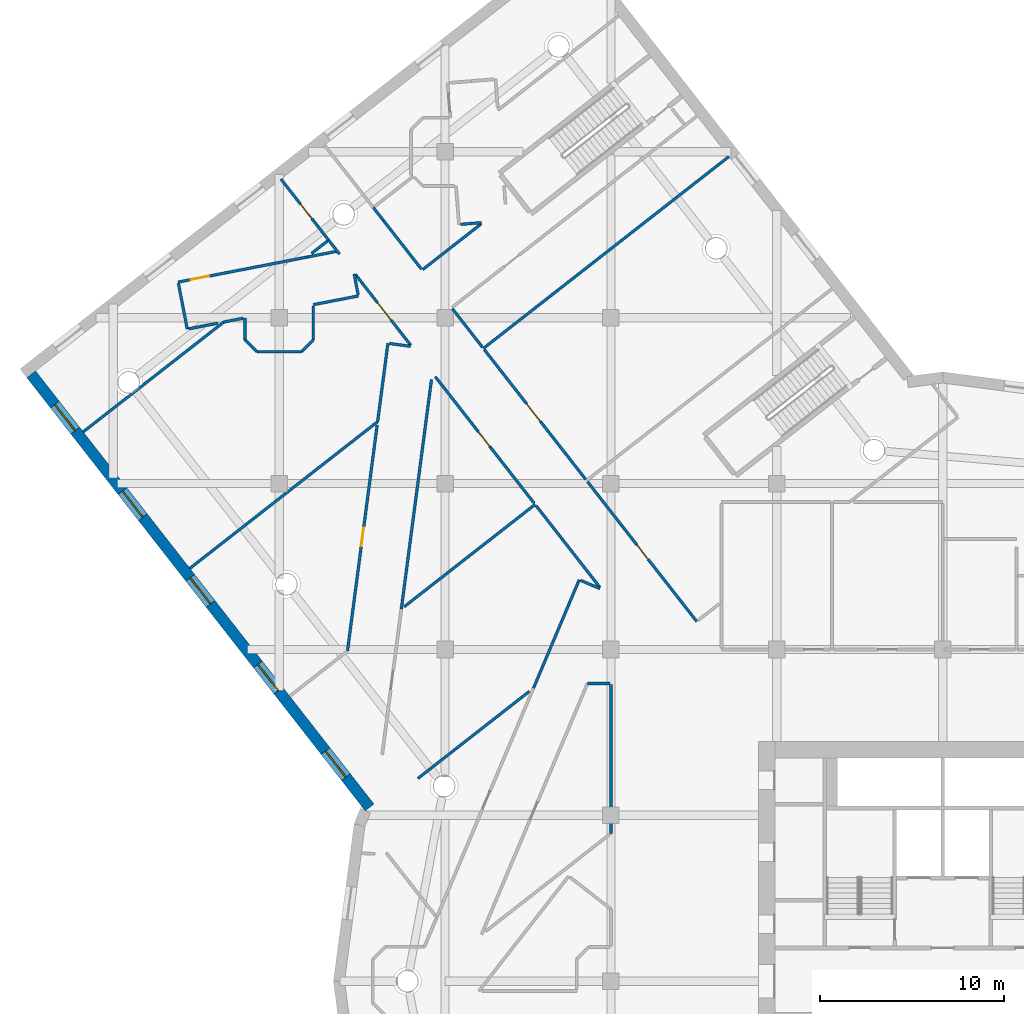
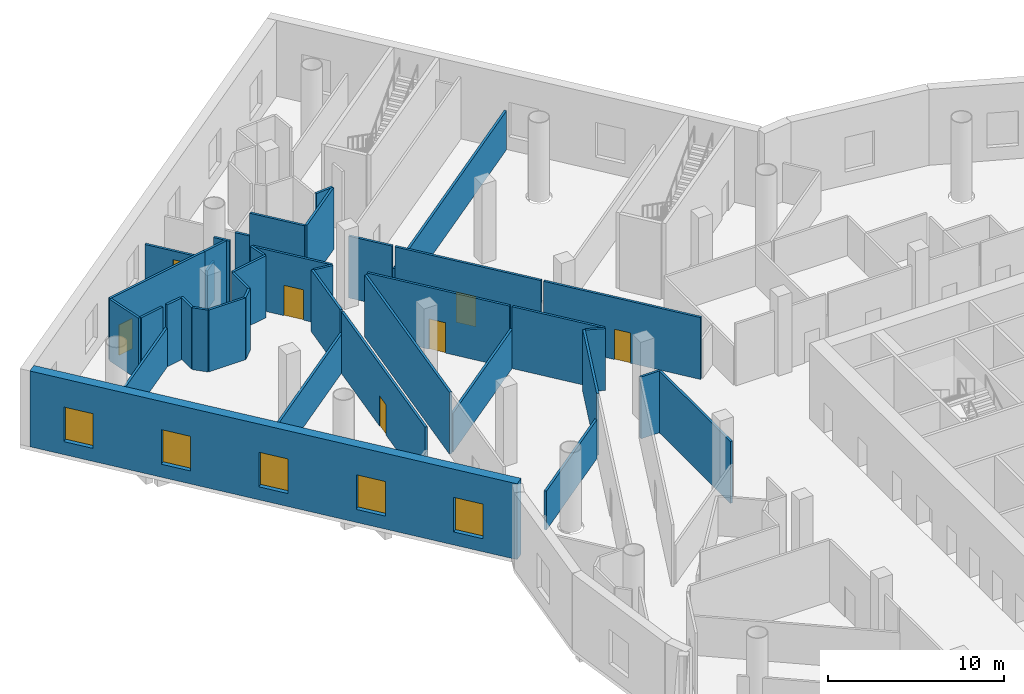
# One storey, part 9 of 23: 39 walls, 7 doors, 5 windows, 12 openings.
"""IFC4 building model written with IfcOpenShell, lengths in metres."""

from ifc_helpers import new_model, si_unit, direction, frame, frame_2d, origin, place, context, subcontext, project, spatial, rectangle, extrude, material, layer, layer_set, type_object, element, fill, save


model = new_model("IFC4")

# Units and contexts
model_context = context("Model", 3, precision=1e-05, world=origin(), true_north=direction((0.0, 1.0)))
body_context = subcontext(model_context, "Body", "Model", "MODEL_VIEW")
ifc_project = project(units=[si_unit("LENGTHUNIT", "METRE"), si_unit("AREAUNIT", "SQUARE_METRE"), si_unit("VOLUMEUNIT", "CUBIC_METRE"), si_unit("PLANEANGLEUNIT", "RADIAN"), si_unit("MASSUNIT", "GRAM", prefix="KILO")], contexts=[model_context])

# Site, building, storey
site_placement = place(None, origin())
site = spatial("IfcSite", under=ifc_project, at=site_placement, CompositionType="ELEMENT")
building_placement = place(site_placement, origin())
building = spatial("IfcBuilding", under=site, at=building_placement, Name="Tarsis Ring Headquarters", CompositionType="ELEMENT")
storey_placement = place(building_placement, frame((0.0, 0.0, 14.0)))
storey = spatial("IfcBuildingStorey", under=building, at=storey_placement, Name="L02", CompositionType="ELEMENT", Elevation=14.0)

# Walls
ifc_material_1 = material(Name="Plasterboard partition")
ifc_layer_1 = layer(ifc_material_1, 0.14990234375)
ifc_layer_set_1 = layer_set([ifc_layer_1], Name="PO-PW150")
wall_type_1 = type_object("IfcWallType", Name="PO-PW150", PredefinedType="PARTITIONING", material=ifc_layer_set_1)
wall_1_placement = place(storey_placement, frame((-11.604736328125, 44.73974609375, 0.0), z_axis=(0.0, 0.0, 1.0), x_axis=(-0.788014736946, -0.61565637685, 0.0)))
element("IfcWall", 1, at=wall_1_placement, inside=storey, type_object=wall_type_1, Name="L02 partition wall 5", PredefinedType="PARTITIONING", context=body_context, shape_type="SweptSolid", body=[
    extrude(rectangle(XDim=16.89990234375, YDim=0.14990234375, at=frame_2d((8.449951171875, 0.0))), origin(), (0.0, 0.0, 1.0), 2.699951171875),
])
wall_2_placement = place(storey_placement, frame((-30.660400390625, 30.359375, 0.0), z_axis=(0.0, 0.0, 1.0), x_axis=(-0.788010347097, -0.615661995634, 0.0)))
element("IfcWall", 2, at=wall_2_placement, inside=storey, type_object=wall_type_1, Name="L02 partition wall 13", PredefinedType="PARTITIONING", context=body_context, shape_type="SweptSolid", body=[
    extrude(rectangle(XDim=12.930419921875, YDim=0.14990234375, at=frame_2d((6.46533203125, 0.0))), origin(), (0.0, 0.0, 1.0), 2.699951171875),
])
wall_3_placement = place(storey_placement, frame((-39.0078125, 35.7666015625, 0.0), z_axis=(0.0, 0.0, 1.0), x_axis=(-0.788003346426, -0.615670955967, 0.0)))
element("IfcWall", 3, at=wall_3_placement, inside=storey, type_object=wall_type_1, Name="L02 partition wall 32", PredefinedType="PARTITIONING", context=body_context, shape_type="SweptSolid", body=[
    extrude(rectangle(XDim=9.681640625, YDim=0.14990234375, at=frame_2d((4.8408203125, 0.0))), origin(), (0.0, 0.0, 1.0), 2.699951171875),
])
wall_4_placement = place(storey_placement, frame((-22.114501953125, 25.868896484375, 0.0), z_axis=(0.0, 0.0, 1.0), x_axis=(-0.788011245188, -0.615660846129, 0.0)))
element("IfcWall", 4, at=wall_4_placement, inside=storey, type_object=wall_type_1, Name="L02 partition wall 33", PredefinedType="PARTITIONING", context=body_context, shape_type="SweptSolid", body=[
    extrude(rectangle(XDim=9.02197265625, YDim=0.14990234375, at=frame_2d((4.510986328125, 0.0))), origin(), (0.0, 0.0, 1.0), 2.699951171875),
])
wall_5_placement = place(storey_placement, frame((-28.47119140625, 11.004150390625, 0.0), z_axis=(0.0, 0.0, 1.0), x_axis=(0.788010852501, 0.615661348747, 0.0)))
element("IfcWall", 5, at=wall_5_placement, inside=storey, type_object=wall_type_1, Name="L02 partition wall 45", PredefinedType="PARTITIONING", context=body_context, shape_type="SweptSolid", body=[
    extrude(rectangle(XDim=7.6650390625, YDim=0.14990234375, at=frame_2d((3.83251953125, 0.0))), origin(), (0.0, 0.0, 1.0), 2.699951171875),
])

# Wall, opening, door
wall_6_placement = place(storey_placement, frame((-35.904541015625, 43.52099609375, 0.0), z_axis=(0.0, 0.0, 1.0), x_axis=(0.615629377778, -0.788035829906, 0.0)))
wall_6 = element("IfcWall", 6, at=wall_6_placement, inside=storey, type_object=wall_type_1, Name="L02 partition wall 85", PredefinedType="PARTITIONING", context=body_context, shape_type="SweptSolid", body=[
    extrude(rectangle(XDim=4.2001953125, YDim=0.14990234375, at=frame_2d((2.10009765625, 0.0))), origin(), (0.0, 0.0, 1.0), 2.699951171875),
])
opening_1_placement = place(wall_6_placement, frame((1.720947265625, 0.0, 0.0)))
opening_1 = element("IfcOpeningElement", 7, at=opening_1_placement, cuts=wall_6, Name="Opening PO-D1A", PredefinedType="OPENING", context=body_context, shape_type="SweptSolid", body=[
    extrude(rectangle(XDim=1.0, YDim=2.10009765625, at=frame_2d((0.5, 1.050048828125))), frame((0.0, 0.0849609375, 0.0), z_axis=(0.0, -1.0, 0.0), x_axis=(1.0, 0.0, 0.0)), (0.0, 0.0, 1.0), 0.169921875),
])
ifc_material_2 = material(Name="Timber door", Category="wood")
door_type_1 = type_object("IfcDoorType", Name="PO-D1000-UNRATED", OperationType="NOTDEFINED", PredefinedType="DOOR", material=ifc_material_2)
door_1_placement = place(opening_1_placement, origin())
door_1 = element("IfcDoor", 8, at=door_1_placement, inside=storey, type_object=door_type_1, Name="Training room door", OperationType="SINGLE_SWING_LEFT", OverallHeight=2.10009765625, OverallWidth=1.0, PredefinedType="DOOR", context=body_context, shape_type="SweptSolid", body=[
    extrude(rectangle(XDim=1.0, YDim=2.10009765625, at=frame_2d((0.5, 1.050048828125))), frame((0.0, 0.02490234375, 0.0), z_axis=(0.0, -1.0, 0.0), x_axis=(1.0, 0.0, 0.0)), (0.0, 0.0, 1.0), 0.050048828125),
])
fill(opening_1, door_1)

# Walls
wall_7_placement = place(storey_placement, frame((-33.382568359375, 40.161376953125, 0.0), z_axis=(0.0, 0.0, 1.0), x_axis=(-0.788105280443, -0.615540467344, 0.0)))
element("IfcWall", 9, at=wall_7_placement, inside=storey, type_object=wall_type_1, Name="L02 partition wall 144", PredefinedType="PARTITIONING", context=body_context, shape_type="SweptSolid", body=[
    extrude(rectangle(XDim=1.097900390625, YDim=0.14990234375, at=frame_2d((0.548828125, 0.0))), origin(), (0.0, 0.0, 1.0), 2.699951171875),
])
wall_8_placement = place(storey_placement, frame((-30.89404296875, 41.978759765625, 0.0), z_axis=(0.0, 0.0, 1.0), x_axis=(0.615879384615, -0.78784045568, 0.0)))
element("IfcWall", 10, at=wall_8_placement, inside=storey, type_object=wall_type_1, Name="L02 partition wall 170", PredefinedType="PARTITIONING", context=body_context, shape_type="SweptSolid", body=[
    extrude(rectangle(XDim=0.90576171875, YDim=0.14990234375, at=frame_2d((0.452880859375, 0.0))), origin(), (0.0, 0.0, 1.0), 2.699951171875),
])
ifc_layer_2 = layer(ifc_material_1, 0.14990234375)
ifc_layer_set_2 = layer_set([ifc_layer_2], Name="PO-PW150R-4283")
wall_type_2 = type_object("IfcWallType", Name="PO-PW150R-4283", PredefinedType="PARTITIONING", material=ifc_layer_set_2)
wall_9_placement = place(storey_placement, frame((-27.738037109375, 32.642578125, 0.0), z_axis=(0.0, 0.0, 1.0), x_axis=(-0.130313635942, -0.991472821759, 0.0)))
element("IfcWall", 11, at=wall_9_placement, inside=storey, type_object=wall_type_2, Name="L02 partition wall 15", PredefinedType="PARTITIONING", context=body_context, shape_type="SweptSolid", body=[
    extrude(rectangle(XDim=12.55224609375, YDim=0.14990234375, at=frame_2d((6.276123046875, 0.0))), origin(), (0.0, 0.0, 1.0), 4.282958984375),
])

# Wall, opening, door
wall_10_placement = place(storey_placement, frame((-32.296142578125, 17.9140625, 0.0), z_axis=(0.0, 0.0, 1.0), x_axis=(0.130300744095, 0.991474516106, 0.0)))
wall_10 = element("IfcWall", 12, at=wall_10_placement, inside=storey, type_object=wall_type_2, Name="L02 partition wall 16", PredefinedType="PARTITIONING", context=body_context, shape_type="SweptSolid", body=[
    extrude(rectangle(XDim=12.362548828125, YDim=0.14990234375, at=frame_2d((6.18115234375, 0.0))), origin(), (0.0, 0.0, 1.0), 4.282958984375),
])
opening_2_placement = place(wall_10_placement, frame((5.75, 0.0, 0.0)))
opening_2 = element("IfcOpeningElement", 13, at=opening_2_placement, cuts=wall_10, Name="Opening PO-D1", PredefinedType="OPENING", context=body_context, shape_type="SweptSolid", body=[
    extrude(rectangle(XDim=1.0, YDim=2.10009765625, at=frame_2d((0.5, 1.050048828125))), frame((0.0, 0.0849609375, 0.0), z_axis=(0.0, -1.0, 0.0), x_axis=(1.0, 0.0, 0.0)), (0.0, 0.0, 1.0), 0.169921875),
])
door_type_2 = type_object("IfcDoorType", Name="PO-D1000", OperationType="NOTDEFINED", PredefinedType="DOOR", material=ifc_material_2)
door_2_placement = place(opening_2_placement, origin())
door_2 = element("IfcDoor", 14, at=door_2_placement, inside=storey, type_object=door_type_2, Name="Committee room door", OperationType="SINGLE_SWING_LEFT", OverallHeight=2.10009765625, OverallWidth=1.0, PredefinedType="DOOR", context=body_context, shape_type="SweptSolid", body=[
    extrude(rectangle(XDim=1.0, YDim=2.10009765625, at=frame_2d((0.5, 1.050048828125))), frame((0.0, 0.02490234375, 0.0), z_axis=(0.0, -1.0, 0.0), x_axis=(1.0, 0.0, 0.0)), (0.0, 0.0, 1.0), 0.050048828125),
])
fill(opening_2, door_2)

wall_11_placement = place(storey_placement, frame((-19.270263671875, 27.101318359375, 0.0), z_axis=(0.0, 0.0, 1.0), x_axis=(0.615650444222, -0.788019371925, 0.0)))
wall_11 = element("IfcWall", 15, at=wall_11_placement, inside=storey, type_object=wall_type_2, Name="L02 partition wall 31", PredefinedType="PARTITIONING", context=body_context, shape_type="SweptSolid", body=[
    extrude(rectangle(XDim=9.6201171875, YDim=0.14990234375, at=frame_2d((4.81005859375, 0.0))), origin(), (0.0, 0.0, 1.0), 4.282958984375),
])
opening_3_placement = place(wall_11_placement, frame((4.340087890625, 0.0, 0.0)))
opening_3 = element("IfcOpeningElement", 16, at=opening_3_placement, cuts=wall_11, Name="Opening PO-D1", PredefinedType="OPENING", context=body_context, shape_type="SweptSolid", body=[
    extrude(rectangle(XDim=1.0, YDim=2.10009765625, at=frame_2d((0.5, 1.050048828125))), frame((0.0, 0.0849609375, 0.0), z_axis=(0.0, -1.0, 0.0), x_axis=(1.0, 0.0, 0.0)), (0.0, 0.0, 1.0), 0.169921875),
])
door_3_placement = place(opening_3_placement, origin())
door_3 = element("IfcDoor", 17, at=door_3_placement, inside=storey, type_object=door_type_2, Name="Committee room door", OperationType="SINGLE_SWING_RIGHT", OverallHeight=2.10009765625, OverallWidth=1.0, PredefinedType="DOOR", context=body_context, shape_type="SweptSolid", body=[
    extrude(rectangle(XDim=1.0, YDim=2.10009765625, at=frame_2d((0.5, 1.050048828125))), frame((0.0, 0.02490234375, 0.0), z_axis=(0.0, -1.0, 0.0), x_axis=(1.0, 0.0, 0.0)), (0.0, 0.0, 1.0), 0.050048828125),
])
fill(opening_3, door_3)

wall_12_placement = place(storey_placement, frame((-24.872802734375, 34.272216796875, 0.0), z_axis=(0.0, 0.0, 1.0), x_axis=(0.615665239204, -0.788007812928, 0.0)))
wall_12 = element("IfcWall", 18, at=wall_12_placement, inside=storey, type_object=wall_type_2, Name="L02 partition wall 35", PredefinedType="PARTITIONING", context=body_context, shape_type="SweptSolid", body=[
    extrude(rectangle(XDim=8.940185546875, YDim=0.14990234375, at=frame_2d((4.47021484375, 0.0))), origin(), (0.0, 0.0, 1.0), 4.282958984375),
])
opening_4_placement = place(wall_12_placement, frame((3.739990234375, 0.0, 0.0)))
opening_4 = element("IfcOpeningElement", 19, at=opening_4_placement, cuts=wall_12, Name="Opening PO-D2", PredefinedType="OPENING", context=body_context, shape_type="SweptSolid", body=[
    extrude(rectangle(XDim=1.199951171875, YDim=2.10009765625, at=frame_2d((0.60009765625, 1.050048828125))), frame((0.0, 0.0849609375, 0.0), z_axis=(0.0, -1.0, 0.0), x_axis=(1.0, 0.0, 0.0)), (0.0, 0.0, 1.0), 0.169921875),
])
door_type_3 = type_object("IfcDoorType", Name="PO-D1200", OperationType="NOTDEFINED", PredefinedType="DOOR", material=ifc_material_2)
door_4_placement = place(opening_4_placement, origin())
door_4 = element("IfcDoor", 20, at=door_4_placement, inside=storey, type_object=door_type_3, Name="Conference hall door", OperationType="SINGLE_SWING_LEFT", OverallHeight=2.10009765625, OverallWidth=1.199951171875, PredefinedType="DOOR", context=body_context, shape_type="SweptSolid", body=[
    extrude(rectangle(XDim=1.199951171875, YDim=2.10009765625, at=frame_2d((0.60009765625, 1.050048828125))), frame((0.0, 0.02490234375, 0.0), z_axis=(0.0, -1.0, 0.0), x_axis=(1.0, 0.0, 0.0)), (0.0, 0.0, 1.0), 0.050048828125),
])
fill(opening_4, door_4)

wall_13_placement = place(storey_placement, frame((-22.163818359375, 25.931884765625, 0.0), z_axis=(0.0, 0.0, 1.0), x_axis=(-0.615642955339, 0.788025222656, 0.0)))
wall_13 = element("IfcWall", 21, at=wall_13_placement, inside=storey, type_object=wall_type_2, Name="L02 partition wall 38", PredefinedType="PARTITIONING", context=body_context, shape_type="SweptSolid", body=[
    extrude(rectangle(XDim=8.719970703125, YDim=0.14990234375, at=frame_2d((4.35986328125, 0.0))), origin(), (0.0, 0.0, 1.0), 4.282958984375),
])
opening_5_placement = place(wall_13_placement, frame((3.919921875, 0.0, 0.0)))
opening_5 = element("IfcOpeningElement", 22, at=opening_5_placement, cuts=wall_13, Name="Opening PO-D1", PredefinedType="OPENING", context=body_context, shape_type="SweptSolid", body=[
    extrude(rectangle(XDim=1.0, YDim=2.10009765625, at=frame_2d((0.5, 1.050048828125))), frame((0.0, 0.0849609375, 0.0), z_axis=(0.0, -1.0, 0.0), x_axis=(1.0, 0.0, 0.0)), (0.0, 0.0, 1.0), 0.169921875),
])
door_5_placement = place(opening_5_placement, origin())
door_5 = element("IfcDoor", 23, at=door_5_placement, inside=storey, type_object=door_type_2, Name="Committee room door", OperationType="SINGLE_SWING_RIGHT", OverallHeight=2.10009765625, OverallWidth=1.0, PredefinedType="DOOR", context=body_context, shape_type="SweptSolid", body=[
    extrude(rectangle(XDim=1.0, YDim=2.10009765625, at=frame_2d((0.5, 1.050048828125))), frame((0.0, 0.02490234375, 0.0), z_axis=(0.0, -1.0, 0.0), x_axis=(1.0, 0.0, 0.0)), (0.0, 0.0, 1.0), 0.050048828125),
])
fill(opening_5, door_5)

# Wall
wall_14_placement = place(storey_placement, frame((-18.0, 8.017822265625, 0.0), z_axis=(0.0, 0.0, 1.0), x_axis=(0.0, 1.0, 0.0)))
element("IfcWall", 24, at=wall_14_placement, inside=storey, type_object=wall_type_2, Name="L02 partition wall 40", PredefinedType="PARTITIONING", context=body_context, shape_type="SweptSolid", body=[
    extrude(rectangle(XDim=8.072265625, YDim=0.14990234375, at=frame_2d((4.0361328125, 0.0))), origin(), (0.0, 0.0, 1.0), 4.282958984375),
])

# Wall, opening, door
wall_15_placement = place(storey_placement, frame((-41.4833984375, 37.93505859375, 0.0), z_axis=(0.0, 0.0, 1.0), x_axis=(0.981731488175, 0.190271608825, 0.0)))
wall_15 = element("IfcWall", 25, at=wall_15_placement, inside=storey, type_object=wall_type_2, Name="L02 partition wall 51", PredefinedType="PARTITIONING", context=body_context, shape_type="SweptSolid", body=[
    extrude(rectangle(XDim=7.113525390625, YDim=0.14990234375, at=frame_2d((3.556640625, 0.0))), origin(), (0.0, 0.0, 1.0), 4.282958984375),
])
opening_6_placement = place(wall_15_placement, frame((0.706298828125, 0.0, 0.0)))
opening_6 = element("IfcOpeningElement", 26, at=opening_6_placement, cuts=wall_15, Name="Opening PO-D1", PredefinedType="OPENING", context=body_context, shape_type="SweptSolid", body=[
    extrude(rectangle(XDim=1.0, YDim=2.10009765625, at=frame_2d((0.5, 1.050048828125))), frame((0.0, 0.0849609375, 0.0), z_axis=(0.0, -1.0, 0.0), x_axis=(1.0, 0.0, 0.0)), (0.0, 0.0, 1.0), 0.169921875),
])
door_6_placement = place(opening_6_placement, origin())
door_6 = element("IfcDoor", 27, at=door_6_placement, inside=storey, type_object=door_type_2, Name="Interpreters' booth door", OperationType="SINGLE_SWING_LEFT", OverallHeight=2.10009765625, OverallWidth=1.0, PredefinedType="DOOR", context=body_context, shape_type="SweptSolid", body=[
    extrude(rectangle(XDim=1.0, YDim=2.10009765625, at=frame_2d((0.5, 1.050048828125))), frame((0.0, 0.02490234375, 0.0), z_axis=(0.0, -1.0, 0.0), x_axis=(1.0, 0.0, 0.0)), (0.0, 0.0, 1.0), 0.050048828125),
])
fill(opening_6, door_6)

# Walls
wall_16_placement = place(storey_placement, frame((-22.20263671875, 15.90185546875, 0.0), z_axis=(0.0, 0.0, 1.0), x_axis=(0.388777153569, 0.921331821258, 0.0)))
element("IfcWall", 28, at=wall_16_placement, inside=storey, type_object=wall_type_2, Name="L02 partition wall 56", PredefinedType="PARTITIONING", context=body_context, shape_type="SweptSolid", body=[
    extrude(rectangle(XDim=6.379638671875, YDim=0.14990234375, at=frame_2d((3.18994140625, 0.0))), origin(), (0.0, 0.0, 1.0), 4.282958984375),
])
wall_17_placement = place(storey_placement, frame((-18.6005859375, 21.371337890625, 0.0), z_axis=(0.0, 0.0, 1.0), x_axis=(-0.61565414455, 0.788016480981, 0.0)))
element("IfcWall", 29, at=wall_17_placement, inside=storey, type_object=wall_type_2, Name="L02 partition wall 65", PredefinedType="PARTITIONING", context=body_context, shape_type="SweptSolid", body=[
    extrude(rectangle(XDim=5.62744140625, YDim=0.14990234375, at=frame_2d((2.813720703125, 0.0))), origin(), (0.0, 0.0, 1.0), 4.282958984375),
])

# Wall, opening, door
wall_18_placement = place(storey_placement, frame((-28.865478515625, 34.509521484375, 0.0), z_axis=(0.0, 0.0, 1.0), x_axis=(-0.615640157732, 0.788027408272, 0.0)))
wall_18 = element("IfcWall", 30, at=wall_18_placement, inside=storey, type_object=wall_type_2, Name="L02 partition wall 78", PredefinedType="PARTITIONING", context=body_context, shape_type="SweptSolid", body=[
    extrude(rectangle(XDim=4.87890625, YDim=0.14990234375, at=frame_2d((2.439453125, 0.0))), origin(), (0.0, 0.0, 1.0), 4.282958984375),
])
opening_7_placement = place(wall_18_placement, frame((1.73486328125, 0.0, 0.0)))
opening_7 = element("IfcOpeningElement", 31, at=opening_7_placement, cuts=wall_18, Name="Opening PO-D2", PredefinedType="OPENING", context=body_context, shape_type="SweptSolid", body=[
    extrude(rectangle(XDim=1.199951171875, YDim=2.10009765625, at=frame_2d((0.60009765625, 1.050048828125))), frame((0.0, 0.0849609375, 0.0), z_axis=(0.0, -1.0, 0.0), x_axis=(1.0, 0.0, 0.0)), (0.0, 0.0, 1.0), 0.169921875),
])
door_7_placement = place(opening_7_placement, origin())
door_7 = element("IfcDoor", 32, at=door_7_placement, inside=storey, type_object=door_type_3, Name="Breakout room door", OperationType="SINGLE_SWING_RIGHT", OverallHeight=2.10009765625, OverallWidth=1.199951171875, PredefinedType="DOOR", context=body_context, shape_type="SweptSolid", body=[
    extrude(rectangle(XDim=1.199951171875, YDim=2.10009765625, at=frame_2d((0.60009765625, 1.050048828125))), frame((0.0, 0.02490234375, 0.0), z_axis=(0.0, -1.0, 0.0), x_axis=(1.0, 0.0, 0.0)), (0.0, 0.0, 1.0), 0.050048828125),
])
fill(opening_7, door_7)

# Walls
wall_19_placement = place(storey_placement, frame((-30.660400390625, 30.359375, 0.0), z_axis=(0.0, 0.0, 1.0), x_axis=(0.130302838453, 0.991474240861, 0.0)))
element("IfcWall", 33, at=wall_19_placement, inside=storey, type_object=wall_type_2, Name="L02 partition wall 84", PredefinedType="PARTITIONING", context=body_context, shape_type="SweptSolid", body=[
    extrude(rectangle(XDim=4.288818359375, YDim=0.14990234375, at=frame_2d((2.14453125, 0.0))), origin(), (0.0, 0.0, 1.0), 4.282958984375),
])
wall_20_placement = place(storey_placement, frame((-28.2138671875, 38.61328125, 0.0), z_axis=(0.0, 0.0, 1.0), x_axis=(0.788021622862, 0.61564756306, 0.0)))
element("IfcWall", 34, at=wall_20_placement, inside=storey, type_object=wall_type_2, Name="L02 partition wall 87", PredefinedType="PARTITIONING", context=body_context, shape_type="SweptSolid", body=[
    extrude(rectangle(XDim=4.03662109375, YDim=0.14990234375, at=frame_2d((2.018310546875, 0.0))), origin(), (0.0, 0.0, 1.0), 4.282958984375),
])
wall_21_placement = place(storey_placement, frame((-30.336181640625, 41.26513671875, 0.0), z_axis=(0.0, 0.0, 1.0), x_axis=(0.615631261575, -0.788034358243, 0.0)))
element("IfcWall", 35, at=wall_21_placement, inside=storey, type_object=wall_type_2, Name="L02 partition wall 97", PredefinedType="PARTITIONING", context=body_context, shape_type="SweptSolid", body=[
    extrude(rectangle(XDim=3.33642578125, YDim=0.14990234375, at=frame_2d((1.668212890625, 0.0))), origin(), (0.0, 0.0, 1.0), 4.282958984375),
])
wall_22_placement = place(storey_placement, frame((-26.607666015625, 36.49267578125, 0.0), z_axis=(0.0, 0.0, 1.0), x_axis=(0.615681472627, -0.787995129594, 0.0)))
element("IfcWall", 36, at=wall_22_placement, inside=storey, type_object=wall_type_2, Name="L02 partition wall 110", PredefinedType="PARTITIONING", context=body_context, shape_type="SweptSolid", body=[
    extrude(rectangle(XDim=2.657958984375, YDim=0.14990234375, at=frame_2d((1.3291015625, 0.0))), origin(), (0.0, 0.0, 1.0), 4.282958984375),
])
wall_23_placement = place(storey_placement, frame((-40.98876953125, 35.382568359375, 0.0), z_axis=(0.0, 0.0, 1.0), x_axis=(-0.190280970986, 0.981729673627, 0.0)))
element("IfcWall", 37, at=wall_23_placement, inside=storey, type_object=wall_type_2, Name="L02 partition wall 113", PredefinedType="PARTITIONING", context=body_context, shape_type="SweptSolid", body=[
    extrude(rectangle(XDim=2.52001953125, YDim=0.14990234375, at=frame_2d((1.260009765625, 0.0))), origin(), (0.0, 0.0, 1.0), 4.282958984375),
])
wall_24_placement = place(storey_placement, frame((-31.703125, 37.18212890625, 0.0), z_axis=(0.0, 0.0, 1.0), x_axis=(-0.981738561134, -0.190235111327, 0.0)))
element("IfcWall", 38, at=wall_24_placement, inside=storey, type_object=wall_type_2, Name="L02 partition wall 115", PredefinedType="PARTITIONING", context=body_context, shape_type="SweptSolid", body=[
    extrude(rectangle(XDim=2.4921875, YDim=0.14990234375, at=frame_2d((1.24609375, 0.0))), origin(), (0.0, 0.0, 1.0), 4.282958984375),
])
wall_25_placement = place(storey_placement, frame((-34.800048828125, 34.14990234375, 0.0), z_axis=(0.0, 0.0, 1.0), x_axis=(-1.0, 0.0, 0.0)))
element("IfcWall", 39, at=wall_25_placement, inside=storey, type_object=wall_type_2, Name="L02 partition wall 116", PredefinedType="PARTITIONING", context=body_context, shape_type="SweptSolid", body=[
    extrude(rectangle(XDim=2.39990234375, YDim=0.14990234375, at=frame_2d((1.199951171875, 0.0))), origin(), (0.0, 0.0, 1.0), 4.282958984375),
])
wall_26_placement = place(storey_placement, frame((-39.322021484375, 35.70556640625, 0.0), z_axis=(0.0, 0.0, 1.0), x_axis=(-0.981724406508, -0.190308143983, 0.0)))
element("IfcWall", 40, at=wall_26_placement, inside=storey, type_object=wall_type_2, Name="L02 partition wall 124", PredefinedType="PARTITIONING", context=body_context, shape_type="SweptSolid", body=[
    extrude(rectangle(XDim=1.61767578125, YDim=0.14990234375, at=frame_2d((0.808837890625, 0.0))), origin(), (0.0, 0.0, 1.0), 4.282958984375),
])
wall_27_placement = place(storey_placement, frame((-34.14990234375, 36.6279296875, 0.0), z_axis=(0.0, 0.0, 1.0), x_axis=(0.0, -1.0, 0.0)))
element("IfcWall", 41, at=wall_27_placement, inside=storey, type_object=wall_type_2, Name="L02 partition wall 129", PredefinedType="PARTITIONING", context=body_context, shape_type="SweptSolid", body=[
    extrude(rectangle(XDim=1.827880859375, YDim=0.14990234375, at=frame_2d((0.9140625, 0.0))), origin(), (0.0, 0.0, 1.0), 4.282958984375),
])
wall_28_placement = place(storey_placement, frame((-34.499755859375, 39.28857421875, 0.0), z_axis=(0.0, 0.0, 1.0), x_axis=(0.981748335955, 0.190184659868, 0.0)))
element("IfcWall", 42, at=wall_28_placement, inside=storey, type_object=wall_type_2, Name="L02 partition wall 140", PredefinedType="PARTITIONING", context=body_context, shape_type="SweptSolid", body=[
    extrude(rectangle(XDim=1.67919921875, YDim=0.14990234375, at=frame_2d((0.839599609375, 0.0))), origin(), (0.0, 0.0, 1.0), 4.282958984375),
])
wall_29_placement = place(storey_placement, frame((-30.022216796875, 34.60107421875, 0.0), z_axis=(0.0, 0.0, 1.0), x_axis=(0.991466437914, -0.13036219732, 0.0)))
element("IfcWall", 43, at=wall_29_placement, inside=storey, type_object=wall_type_2, Name="L02 partition wall 149", PredefinedType="PARTITIONING", context=body_context, shape_type="SweptSolid", body=[
    extrude(rectangle(XDim=1.1630859375, YDim=0.14990234375, at=frame_2d((0.58154296875, 0.0))), origin(), (0.0, 0.0, 1.0), 4.282958984375),
])
wall_30_placement = place(storey_placement, frame((-18.0400390625, 16.14990234375, 0.0), z_axis=(0.0, 0.0, 1.0), x_axis=(-1.0, 0.0, 0.0)))
element("IfcWall", 44, at=wall_30_placement, inside=storey, type_object=wall_type_2, Name="L02 partition wall 150", PredefinedType="PARTITIONING", context=body_context, shape_type="SweptSolid", body=[
    extrude(rectangle(XDim=1.23583984375, YDim=0.14990234375, at=frame_2d((0.617919921875, 0.0))), origin(), (0.0, 0.0, 1.0), 4.282958984375),
])
wall_31_placement = place(storey_placement, frame((-25.01953125, 41.15966796875, 0.0), z_axis=(0.0, 0.0, 1.0), x_axis=(-0.99679495089, -0.079998911747, 0.0)))
element("IfcWall", 45, at=wall_31_placement, inside=storey, type_object=wall_type_2, Name="L02 partition wall 151", PredefinedType="PARTITIONING", context=body_context, shape_type="SweptSolid", body=[
    extrude(rectangle(XDim=1.1474609375, YDim=0.14990234375, at=frame_2d((0.57373046875, 0.0))), origin(), (0.0, 0.0, 1.0), 4.282958984375),
])
wall_32_placement = place(storey_placement, frame((-19.648681640625, 21.74853515625, 0.0), z_axis=(0.0, 0.0, 1.0), x_axis=(0.92132813731, -0.388785883746, 0.0)))
element("IfcWall", 46, at=wall_32_placement, inside=storey, type_object=wall_type_2, Name="L02 partition wall 152", PredefinedType="PARTITIONING", context=body_context, shape_type="SweptSolid", body=[
    extrude(rectangle(XDim=1.137939453125, YDim=0.14990234375, at=frame_2d((0.56884765625, 0.0))), origin(), (0.0, 0.0, 1.0), 4.282958984375),
])
wall_33_placement = place(storey_placement, frame((-31.933837890625, 38.3720703125, 0.0), z_axis=(0.0, 0.0, 1.0), x_axis=(0.190223081471, -0.981740892128, 0.0)))
element("IfcWall", 47, at=wall_33_placement, inside=storey, type_object=wall_type_2, Name="L02 partition wall 153", PredefinedType="PARTITIONING", context=body_context, shape_type="SweptSolid", body=[
    extrude(rectangle(XDim=1.132080078125, YDim=0.14990234375, at=frame_2d((0.56591796875, 0.0))), origin(), (0.0, 0.0, 1.0), 4.282958984375),
])
wall_34_placement = place(storey_placement, frame((-37.85009765625, 34.800048828125, 0.0), z_axis=(0.0, 0.0, 1.0), x_axis=(0.0, 1.0, 0.0)))
element("IfcWall", 48, at=wall_34_placement, inside=storey, type_object=wall_type_2, Name="L02 partition wall 154", PredefinedType="PARTITIONING", context=body_context, shape_type="SweptSolid", body=[
    extrude(rectangle(XDim=1.19091796875, YDim=0.14990234375, at=frame_2d((0.595458984375, 0.0))), origin(), (0.0, 0.0, 1.0), 4.282958984375),
])
wall_35_placement = place(storey_placement, frame((-37.9482421875, 35.971923828125, 0.0), z_axis=(0.0, 0.0, 1.0), x_axis=(-0.981737625306, -0.190239940756, 0.0)))
element("IfcWall", 49, at=wall_35_placement, inside=storey, type_object=wall_type_2, Name="L02 partition wall 155", PredefinedType="PARTITIONING", context=body_context, shape_type="SweptSolid", body=[
    extrude(rectangle(XDim=1.079345703125, YDim=0.14990234375, at=frame_2d((0.53955078125, 0.0))), origin(), (0.0, 0.0, 1.0), 4.282958984375),
])
wall_36_placement = place(storey_placement, frame((-32.7236328125, 39.447998046875, 0.0), z_axis=(0.0, 0.0, 1.0), x_axis=(-0.615702777552, 0.787978483028, 0.0)))
element("IfcWall", 50, at=wall_36_placement, inside=storey, type_object=wall_type_2, Name="L02 partition wall 164", PredefinedType="PARTITIONING", context=body_context, shape_type="SweptSolid", body=[
    extrude(rectangle(XDim=0.968017578125, YDim=0.14990234375, at=frame_2d((0.48388671875, 0.0))), origin(), (0.0, 0.0, 1.0), 4.282958984375),
])
for number, where, z_axis, x_axis, name in (
    (51, (-37.199951171875, 34.14990234375, 0.0), (0.0, 0.0, 1.0), (-0.707106781187, 0.707106781187, 0.0), "L02 partition wall 166"),
    (52, (-34.14990234375, 34.800048828125, 0.0), (0.0, 0.0, 1.0), (-0.707106781187, -0.707106781187, 0.0), "L02 partition wall 169"),
):
    element("IfcWall", number, at=place(storey_placement, frame(where, z_axis=z_axis, x_axis=x_axis)), inside=storey, type_object=wall_type_2, Name=name, PredefinedType="PARTITIONING", context=body_context, shape_type="SweptSolid", body=[
        extrude(rectangle(XDim=0.91943359375, YDim=0.14990234375, at=frame_2d((0.459716796875, 0.0))), origin(), (0.0, 0.0, 1.0), 4.282958984375),
    ])

# Wall, openings, windows
ifc_material_3 = material(Name="Concrete C60/75", Category="concrete")
ifc_layer_3 = layer(ifc_material_3, 0.60009765625)
ifc_layer_set_3 = layer_set([ifc_layer_3], Name="PO-W600")
wall_type_3 = type_object("IfcWallType", Name="PO-W600", PredefinedType="SOLIDWALL", material=ifc_layer_set_3)
wall_37_placement = place(storey_placement, frame((-49.459228515625, 32.930908203125, 0.0), z_axis=(0.0, 0.0, 1.0), x_axis=(0.615664215937, -0.788008612399, 0.0)))
wall_37 = element("IfcWall", 53, at=wall_37_placement, inside=storey, type_object=wall_type_3, Name="L02 external wall 1", PredefinedType="SOLIDWALL", context=body_context, shape_type="SweptSolid", body=[
    extrude(rectangle(XDim=29.82470703125, YDim=0.60009765625, at=frame_2d((14.912353515625, 0.0))), origin(), (0.0, 0.0, 1.0), 5.25),
])
opening_8_placement = place(wall_37_placement, frame((2.08251953125, 0.0, 0.89990234375)))
opening_8 = element("IfcOpeningElement", 54, at=opening_8_placement, cuts=wall_37, Name="Opening PO-WN1", PredefinedType="OPENING", context=body_context, shape_type="SweptSolid", body=[
    extrude(rectangle(XDim=1.800048828125, YDim=2.39990234375, at=frame_2d((0.89990234375, 1.199951171875))), frame((0.0, 0.31005859375, 0.0), z_axis=(0.0, -1.0, 0.0), x_axis=(1.0, 0.0, 0.0)), (0.0, 0.0, 1.0), 0.6201171875),
])
opening_9_placement = place(wall_37_placement, frame((8.04736328125, 0.0, 0.89990234375)))
opening_9 = element("IfcOpeningElement", 55, at=opening_9_placement, cuts=wall_37, Name="Opening PO-WN1", PredefinedType="OPENING", context=body_context, shape_type="SweptSolid", body=[
    extrude(rectangle(XDim=1.800048828125, YDim=2.39990234375, at=frame_2d((0.89990234375, 1.199951171875))), frame((0.0, 0.31005859375, 0.0), z_axis=(0.0, -1.0, 0.0), x_axis=(1.0, 0.0, 0.0)), (0.0, 0.0, 1.0), 0.6201171875),
])
opening_10_placement = place(wall_37_placement, frame((14.012451171875, 0.0, 0.89990234375)))
opening_10 = element("IfcOpeningElement", 56, at=opening_10_placement, cuts=wall_37, Name="Opening PO-WN1", PredefinedType="OPENING", context=body_context, shape_type="SweptSolid", body=[
    extrude(rectangle(XDim=1.800048828125, YDim=2.39990234375, at=frame_2d((0.89990234375, 1.199951171875))), frame((0.0, 0.31005859375, 0.0), z_axis=(0.0, -1.0, 0.0), x_axis=(1.0, 0.0, 0.0)), (0.0, 0.0, 1.0), 0.6201171875),
])
opening_11_placement = place(wall_37_placement, frame((19.977294921875, 0.0, 0.89990234375)))
opening_11 = element("IfcOpeningElement", 57, at=opening_11_placement, cuts=wall_37, Name="Opening PO-WN1", PredefinedType="OPENING", context=body_context, shape_type="SweptSolid", body=[
    extrude(rectangle(XDim=1.800048828125, YDim=2.39990234375, at=frame_2d((0.89990234375, 1.199951171875))), frame((0.0, 0.31005859375, 0.0), z_axis=(0.0, -1.0, 0.0), x_axis=(1.0, 0.0, 0.0)), (0.0, 0.0, 1.0), 0.6201171875),
])
opening_12_placement = place(wall_37_placement, frame((25.942138671875, 0.0, 0.89990234375)))
opening_12 = element("IfcOpeningElement", 58, at=opening_12_placement, cuts=wall_37, Name="Opening PO-WN1", PredefinedType="OPENING", context=body_context, shape_type="SweptSolid", body=[
    extrude(rectangle(XDim=1.800048828125, YDim=2.39990234375, at=frame_2d((0.89990234375, 1.199951171875))), frame((0.0, 0.31005859375, 0.0), z_axis=(0.0, -1.0, 0.0), x_axis=(1.0, 0.0, 0.0)), (0.0, 0.0, 1.0), 0.6201171875),
])
ifc_material_4 = material(Name="Double glazing", Category="glass")
window_type = type_object("IfcWindowType", Name="PO-WN1800", PartitioningType="SINGLE_PANEL", PredefinedType="WINDOW", material=ifc_material_4)
window_1_placement = place(opening_8_placement, origin())
window_1 = element("IfcWindow", 59, at=window_1_placement, inside=storey, type_object=window_type, Name="L02 window 1.1", OverallHeight=2.39990234375, OverallWidth=1.800048828125, PartitioningType="SINGLE_PANEL", PredefinedType="WINDOW", context=body_context, shape_type="SweptSolid", body=[
    extrude(rectangle(XDim=1.800048828125, YDim=2.39990234375, at=frame_2d((0.89990234375, 1.199951171875))), frame((0.0, 0.030029296875, 0.0), z_axis=(0.0, -1.0, 0.0), x_axis=(1.0, 0.0, 0.0)), (0.0, 0.0, 1.0), 0.06005859375),
])
fill(opening_8, window_1)
window_2_placement = place(opening_9_placement, origin())
window_2 = element("IfcWindow", 60, at=window_2_placement, inside=storey, type_object=window_type, Name="L02 window 1.2", OverallHeight=2.39990234375, OverallWidth=1.800048828125, PartitioningType="SINGLE_PANEL", PredefinedType="WINDOW", context=body_context, shape_type="SweptSolid", body=[
    extrude(rectangle(XDim=1.800048828125, YDim=2.39990234375, at=frame_2d((0.89990234375, 1.199951171875))), frame((0.0, 0.030029296875, 0.0), z_axis=(0.0, -1.0, 0.0), x_axis=(1.0, 0.0, 0.0)), (0.0, 0.0, 1.0), 0.06005859375),
])
fill(opening_9, window_2)
window_3_placement = place(opening_10_placement, origin())
window_3 = element("IfcWindow", 61, at=window_3_placement, inside=storey, type_object=window_type, Name="L02 window 1.3", OverallHeight=2.39990234375, OverallWidth=1.800048828125, PartitioningType="SINGLE_PANEL", PredefinedType="WINDOW", context=body_context, shape_type="SweptSolid", body=[
    extrude(rectangle(XDim=1.800048828125, YDim=2.39990234375, at=frame_2d((0.89990234375, 1.199951171875))), frame((0.0, 0.030029296875, 0.0), z_axis=(0.0, -1.0, 0.0), x_axis=(1.0, 0.0, 0.0)), (0.0, 0.0, 1.0), 0.06005859375),
])
fill(opening_10, window_3)
window_4_placement = place(opening_11_placement, origin())
window_4 = element("IfcWindow", 62, at=window_4_placement, inside=storey, type_object=window_type, Name="L02 window 1.4", OverallHeight=2.39990234375, OverallWidth=1.800048828125, PartitioningType="SINGLE_PANEL", PredefinedType="WINDOW", context=body_context, shape_type="SweptSolid", body=[
    extrude(rectangle(XDim=1.800048828125, YDim=2.39990234375, at=frame_2d((0.89990234375, 1.199951171875))), frame((0.0, 0.030029296875, 0.0), z_axis=(0.0, -1.0, 0.0), x_axis=(1.0, 0.0, 0.0)), (0.0, 0.0, 1.0), 0.06005859375),
])
fill(opening_11, window_4)
window_5_placement = place(opening_12_placement, origin())
window_5 = element("IfcWindow", 63, at=window_5_placement, inside=storey, type_object=window_type, Name="L02 window 1.5", OverallHeight=2.39990234375, OverallWidth=1.800048828125, PartitioningType="SINGLE_PANEL", PredefinedType="WINDOW", context=body_context, shape_type="SweptSolid", body=[
    extrude(rectangle(XDim=1.800048828125, YDim=2.39990234375, at=frame_2d((0.89990234375, 1.199951171875))), frame((0.0, 0.030029296875, 0.0), z_axis=(0.0, -1.0, 0.0), x_axis=(1.0, 0.0, 0.0)), (0.0, 0.0, 1.0), 0.06005859375),
])
fill(opening_12, window_5)

save(model, "model.ifc")
